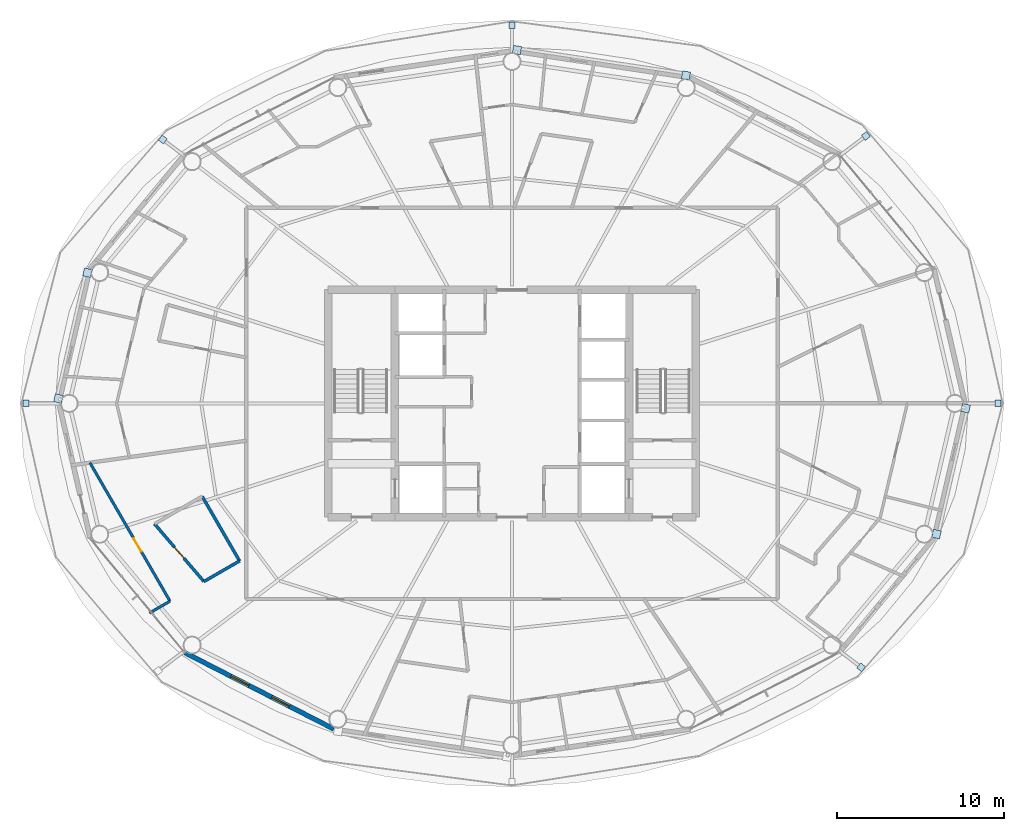
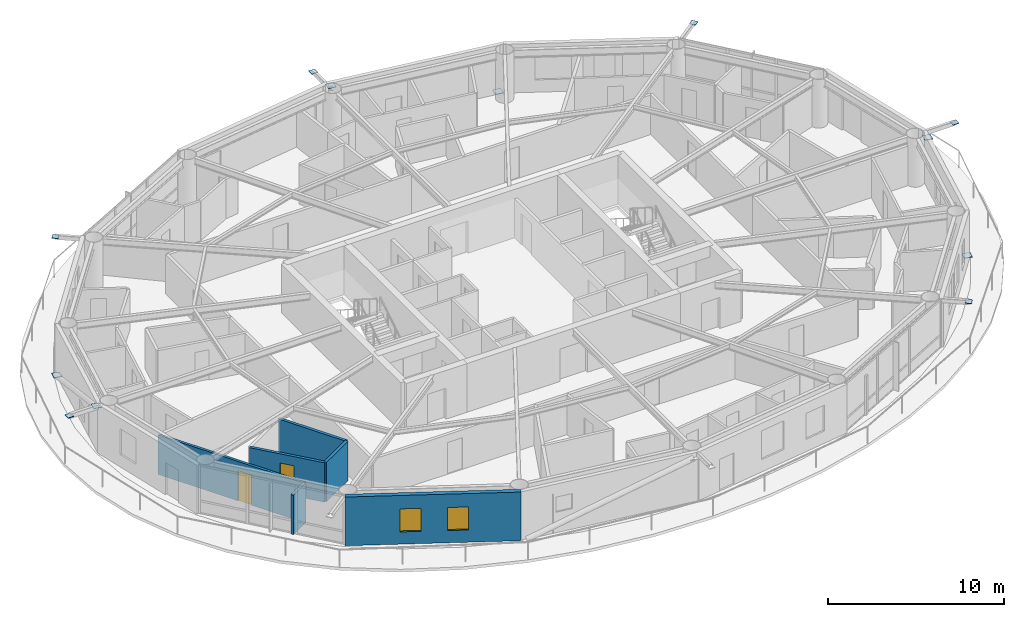
# One storey, part 20 of 29: 12 plates, 6 walls, 2 doors, 2 windows, 4 openings.
"""IFC4 building model written with IfcOpenShell, lengths in metres."""

from ifc_helpers import new_model, si_unit, direction, frame, frame_2d, origin, origin_2d, place, context, subcontext, project, spatial, rectangle, extrude, material, layer, layer_set, type_object, element, fill, save


model = new_model("IFC4")

# Units and contexts
model_context = context("Model", 3, precision=1e-05, world=origin(), true_north=direction((0.0, 1.0)))
body_context = subcontext(model_context, "Body", "Model", "MODEL_VIEW")
ifc_project = project(units=[si_unit("LENGTHUNIT", "METRE"), si_unit("AREAUNIT", "SQUARE_METRE"), si_unit("VOLUMEUNIT", "CUBIC_METRE"), si_unit("PLANEANGLEUNIT", "RADIAN"), si_unit("MASSUNIT", "GRAM", prefix="KILO")], contexts=[model_context])

# Site, building, storey
site_placement = place(None, origin())
site = spatial("IfcSite", under=ifc_project, at=site_placement, CompositionType="ELEMENT")
building_placement = place(site_placement, origin())
building = spatial("IfcBuilding", under=site, at=building_placement, Name="Sarneth Arch Tower", CompositionType="ELEMENT")
storey_placement = place(building_placement, frame((0.0, 0.0, 175.800048828125)))
storey = spatial("IfcBuildingStorey", under=building, at=storey_placement, Name="L44", CompositionType="ELEMENT", Elevation=175.800048828125)

# Plates
ifc_material_1 = material(Name="Steel S355", Category="steel")
ifc_layer_1 = layer(ifc_material_1, 0.035888671875)
ifc_layer_set_1 = layer_set([ifc_layer_1], Name="Steel S355")
plate_type = type_object("IfcPlateType", Name="PLT-GUSSET-30", PredefinedType="SHEET", material=ifc_layer_set_1)
for number, where, z_axis, x_axis, name in (
    (1, (77.07275390625, 42.0, 3.2021484375), (0.0, 0.0, 1.0), (1.0, 0.0, 0.0), "Steel end cap plate GP-1"),
    (2, (69.169677734375, 57.998779296875, 3.2021484375), (0.0, 0.0, 1.0), (0.797794439539, 0.602929541689, 0.0), "Steel end cap plate GP-1"),
):
    element("IfcPlate", number, at=place(storey_placement, frame(where, z_axis=z_axis, x_axis=x_axis)), inside=storey, type_object=plate_type, Name=name, PredefinedType="SHEET", context=body_context, shape_type="SweptSolid", body=[
        extrude(rectangle(XDim=0.3798828125, YDim=0.3798828125, at=origin_2d()), origin(), (0.0, 0.0, 1.0), 0.035888671875),
    ])
for number, where, z_axis, x_axis, name in (
    (3, (58.404296875, 61.612548828125, 0.001953125), (0.0, 0.0, 1.0), (-0.98883454203, 0.149017611339, 0.0), "Steel end cap plate GP-1"),
    (4, (48.296630859375, 63.13525390625, 3.03271484375), (0.0, 0.0, 1.0), (-0.98883454203, 0.149017611339, 0.0), "Steel end cap plate GP-1"),
):
    element("IfcPlate", number, at=place(storey_placement, frame(where, z_axis=z_axis, x_axis=x_axis)), inside=storey, type_object=plate_type, Name=name, PredefinedType="SHEET", context=body_context, shape_type="SweptSolid", body=[
        extrude(rectangle(XDim=0.486083984375, YDim=0.486083984375, at=origin_2d()), origin(), (0.0, 0.0, 1.0), 0.035888671875),
    ])
for number, where, z_axis, x_axis, name in (
    (5, (48.0, 64.6142578125, 3.2021484375), (0.0, 0.0, 1.0), (0.0, 1.0, 0.0), "Steel end cap plate GP-1"),
    (6, (27.112548828125, 57.78564453125, 3.2021484375), (0.0, 0.0, 1.0), (-0.797794439539, 0.602929541689, 0.0), "Steel end cap plate GP-1"),
):
    element("IfcPlate", number, at=place(storey_placement, frame(where, z_axis=z_axis, x_axis=x_axis)), inside=storey, type_object=plate_type, Name=name, PredefinedType="SHEET", context=body_context, shape_type="SweptSolid", body=[
        extrude(rectangle(XDim=0.3798828125, YDim=0.3798828125, at=origin_2d()), origin(), (0.0, 0.0, 1.0), 0.035888671875),
    ])
for number, where, z_axis, x_axis, name in (
    (7, (22.609619140625, 49.81298828125, 0.001953125), (0.0, 0.0, 1.0), (-0.225291159947, -0.974291482694, 0.0), "Steel end cap plate GP-1"),
    (8, (20.87109375, 42.292236328125, 3.03271484375), (0.0, 0.0, 1.0), (-0.225291159947, -0.974291482694, 0.0), "Steel end cap plate GP-1"),
):
    element("IfcPlate", number, at=place(storey_placement, frame(where, z_axis=z_axis, x_axis=x_axis)), inside=storey, type_object=plate_type, Name=name, PredefinedType="SHEET", context=body_context, shape_type="SweptSolid", body=[
        extrude(rectangle(XDim=0.486083984375, YDim=0.486083984375, at=origin_2d()), origin(), (0.0, 0.0, 1.0), 0.035888671875),
    ])
for number, where, z_axis, x_axis, name in (
    (9, (18.92724609375, 42.0, 3.2021484375), (0.0, 0.0, 1.0), (-1.0, 0.0, 0.0), "Steel end cap plate GP-1"),
    (10, (68.887451171875, 26.21435546875, 3.2021484375), (0.0, 0.0, 1.0), (0.797794439539, -0.602929541689, 0.0), "Steel end cap plate GP-1"),
):
    element("IfcPlate", number, at=place(storey_placement, frame(where, z_axis=z_axis, x_axis=x_axis)), inside=storey, type_object=plate_type, Name=name, PredefinedType="SHEET", context=body_context, shape_type="SweptSolid", body=[
        extrude(rectangle(XDim=0.3798828125, YDim=0.3798828125, at=origin_2d()), origin(), (0.0, 0.0, 1.0), 0.035888671875),
    ])
for number, where, z_axis, x_axis, name in (
    (11, (73.390380859375, 34.18701171875, 0.001953125), (0.0, 0.0, 1.0), (0.225291159947, 0.974291482694, 0.0), "Steel end cap plate GP-1"),
    (12, (75.12890625, 41.707763671875, 3.03271484375), (0.0, 0.0, 1.0), (0.225291159947, 0.974291482694, 0.0), "Steel end cap plate GP-1"),
):
    element("IfcPlate", number, at=place(storey_placement, frame(where, z_axis=z_axis, x_axis=x_axis)), inside=storey, type_object=plate_type, Name=name, PredefinedType="SHEET", context=body_context, shape_type="SweptSolid", body=[
        extrude(rectangle(XDim=0.486083984375, YDim=0.486083984375, at=origin_2d()), origin(), (0.0, 0.0, 1.0), 0.035888671875),
    ])

# Wall, openings, windows
ifc_material_2 = material(Name="Extruded terracotta rainscreen on Concrete C40/50 backing", Category="masonry")
ifc_layer_2 = layer(ifc_material_2, 0.280029296875)
ifc_layer_set_2 = layer_set([ifc_layer_2], Name="Extruded terracotta rainscreen on Concrete C40/50 backing")
wall_type_1 = type_object("IfcWallType", Name="WALL-EXT-TERRA-280", PredefinedType="SOLIDWALL", material=ifc_layer_set_2)
wall_1_placement = place(storey_placement, frame((28.423828125, 27.09423828125, 0.0), z_axis=(0.0, 0.0, 1.0), x_axis=(0.889872523182, -0.456209263919, 0.0)))
wall_1 = element("IfcWall", 13, at=wall_1_placement, inside=storey, type_object=wall_type_1, Name="L44 Terracotta perimeter wall 11", PredefinedType="SOLIDWALL", context=body_context, shape_type="SweptSolid", body=[
    extrude(rectangle(XDim=10.016357421875, YDim=0.280029296875, at=frame_2d((5.00830078125, 0.0))), origin(), (0.0, 0.0, 1.0), 3.3798828125),
])
opening_1_placement = place(wall_1_placement, frame((3.115478515625, 0.0, 0.85009765625)))
opening_1 = element("IfcOpeningElement", 14, at=opening_1_placement, cuts=wall_1, Name="Opening W-10", PredefinedType="OPENING", context=body_context, shape_type="SweptSolid", body=[
    extrude(rectangle(XDim=1.199951171875, YDim=1.60009765625, at=frame_2d((0.60009765625, 0.800048828125))), frame((0.0, 0.14990234375, 0.0), z_axis=(0.0, -1.0, 0.0), x_axis=(1.0, 0.0, 0.0)), (0.0, 0.0, 1.0), 0.300048828125),
])
opening_2_placement = place(wall_1_placement, frame((5.84033203125, 0.0, 0.85009765625)))
opening_2 = element("IfcOpeningElement", 15, at=opening_2_placement, cuts=wall_1, Name="Opening W-10", PredefinedType="OPENING", context=body_context, shape_type="SweptSolid", body=[
    extrude(rectangle(XDim=1.199951171875, YDim=1.60009765625, at=frame_2d((0.60009765625, 0.800048828125))), frame((0.0, 0.14990234375, 0.0), z_axis=(0.0, -1.0, 0.0), x_axis=(1.0, 0.0, 0.0)), (0.0, 0.0, 1.0), 0.300048828125),
])
ifc_material_3 = material(Name="Thermally broken Aluminium 6063-T6 and low-e laminated IGU", Category="aluminium")
window_type = type_object("IfcWindowType", Name="WIN-TWR-1200x1600", PartitioningType="SINGLE_PANEL", PredefinedType="WINDOW", material=ifc_material_3)
window_1_placement = place(opening_1_placement, origin())
window_1 = element("IfcWindow", 16, at=window_1_placement, inside=storey, type_object=window_type, Name="L44 Exterior window 11A", OverallHeight=1.60009765625, OverallWidth=1.199951171875, PartitioningType="SINGLE_PANEL", PredefinedType="WINDOW", context=body_context, shape_type="SweptSolid", body=[
    extrude(rectangle(XDim=1.199951171875, YDim=1.60009765625, at=frame_2d((0.60009765625, 0.800048828125))), frame((0.0, 0.030029296875, 0.0), z_axis=(0.0, -1.0, 0.0), x_axis=(1.0, 0.0, 0.0)), (0.0, 0.0, 1.0), 0.06005859375),
])
fill(opening_1, window_1)
window_2_placement = place(opening_2_placement, origin())
window_2 = element("IfcWindow", 17, at=window_2_placement, inside=storey, type_object=window_type, Name="L44 Exterior window 11B", OverallHeight=1.60009765625, OverallWidth=1.199951171875, PartitioningType="SINGLE_PANEL", PredefinedType="WINDOW", context=body_context, shape_type="SweptSolid", body=[
    extrude(rectangle(XDim=1.199951171875, YDim=1.60009765625, at=frame_2d((0.60009765625, 0.800048828125))), frame((0.0, 0.030029296875, 0.0), z_axis=(0.0, -1.0, 0.0), x_axis=(1.0, 0.0, 0.0)), (0.0, 0.0, 1.0), 0.06005859375),
])
fill(opening_2, window_2)

# Wall, opening, door
ifc_material_4 = material(Name="Kitchen wet service chase wall", Category="gypsum")
ifc_layer_3 = layer(ifc_material_4, 0.159912109375)
ifc_layer_set_3 = layer_set([ifc_layer_3], Name="Kitchen wet service chase wall")
wall_type_2 = type_object("IfcWallType", Name="WALL-PLUMB-160", PredefinedType="PLUMBINGWALL", material=ifc_layer_set_3)
wall_2_placement = place(storey_placement, frame((22.75341796875, 38.451904296875, 0.0), z_axis=(0.0, 0.0, 1.0), x_axis=(0.500584533727, -0.865687659952, 0.0)))
wall_2 = element("IfcWall", 18, at=wall_2_placement, inside=storey, type_object=wall_type_2, Name="L44 Interior partition W-L44-TP-081", PredefinedType="PLUMBINGWALL", context=body_context, shape_type="SweptSolid", body=[
    extrude(rectangle(XDim=9.56689453125, YDim=0.159912109375, at=frame_2d((4.783447265625, 0.0))), origin(), (0.0, 0.0, 1.0), 2.739990234375),
])
opening_3_placement = place(wall_2_placement, frame((5.2333984375, 0.0, 0.0)))
opening_3 = element("IfcOpeningElement", 19, at=opening_3_placement, cuts=wall_2, Name="Opening ID-01", PredefinedType="OPENING", context=body_context, shape_type="SweptSolid", body=[
    extrude(rectangle(XDim=0.89990234375, YDim=2.10009765625, at=frame_2d((0.449951171875, 1.050048828125))), frame((0.0, 0.08984375, 0.0), z_axis=(0.0, -1.0, 0.0), x_axis=(1.0, 0.0, 0.0)), (0.0, 0.0, 1.0), 0.179931640625),
])
ifc_material_5 = material(Name="Engineered hardwood flush door", Category="wood")
door_type_1 = type_object("IfcDoorType", Name="DR-INT-900", OperationType="SINGLE_SWING_LEFT", PredefinedType="DOOR", material=ifc_material_5)
door_1_placement = place(opening_3_placement, origin())
door_1 = element("IfcDoor", 20, at=door_1_placement, inside=storey, type_object=door_type_1, Name="L44 Interior door DR-L44-U5-KIT", OperationType="SINGLE_SWING_LEFT", OverallHeight=2.10009765625, OverallWidth=0.89990234375, PredefinedType="DOOR", context=body_context, shape_type="SweptSolid", body=[
    extrude(rectangle(XDim=0.89990234375, YDim=2.10009765625, at=frame_2d((0.449951171875, 1.050048828125))), frame((0.0, 0.02490234375, 0.0), z_axis=(0.0, -1.0, 0.0), x_axis=(1.0, 0.0, 0.0)), (0.0, 0.0, 1.0), 0.050048828125),
])
fill(opening_3, door_1)

# Wall
wall_3_placement = place(storey_placement, frame((27.54248046875, 30.169921875, 0.0), z_axis=(0.0, 0.0, 1.0), x_axis=(-0.865626475351, -0.500690328617, 0.0)))
element("IfcWall", 21, at=wall_3_placement, inside=storey, type_object=wall_type_2, Name="L44 Interior partition W-L44-TP-082", PredefinedType="PLUMBINGWALL", context=body_context, shape_type="SweptSolid", body=[
    extrude(rectangle(XDim=1.4189453125, YDim=0.159912109375, at=frame_2d((0.70947265625, 0.0))), origin(), (0.0, 0.0, 1.0), 2.739990234375),
])

# Wall, opening, door
ifc_material_6 = material(Name="Moisture-resistant plumbing chase wall", Category="gypsum")
ifc_layer_4 = layer(ifc_material_6, 0.179931640625)
ifc_layer_set_4 = layer_set([ifc_layer_4], Name="Moisture-resistant plumbing chase wall")
wall_type_3 = type_object("IfcWallType", Name="WALL-PLUMB-180", PredefinedType="PLUMBINGWALL", material=ifc_layer_set_4)
wall_4_placement = place(storey_placement, frame((26.619873046875, 34.790283203125, 0.0), z_axis=(0.0, 0.0, 1.0), x_axis=(0.650507788654, -0.759499583213, 0.0)))
wall_4 = element("IfcWall", 22, at=wall_4_placement, inside=storey, type_object=wall_type_3, Name="L44 Interior partition W-L44-TP-080", PredefinedType="PLUMBINGWALL", context=body_context, shape_type="SweptSolid", body=[
    extrude(rectangle(XDim=4.538330078125, YDim=0.179931640625, at=frame_2d((2.26904296875, 0.0))), origin(), (0.0, 0.0, 1.0), 2.739990234375),
])
opening_4_placement = place(wall_4_placement, frame((1.84423828125, 0.0, 0.0)))
opening_4 = element("IfcOpeningElement", 23, at=opening_4_placement, cuts=wall_4, Name="Opening ID-02", PredefinedType="OPENING", context=body_context, shape_type="SweptSolid", body=[
    extrude(rectangle(XDim=0.85009765625, YDim=2.10009765625, at=frame_2d((0.425048828125, 1.050048828125))), frame((0.0, 0.099853515625, 0.0), z_axis=(0.0, -1.0, 0.0), x_axis=(1.0, 0.0, 0.0)), (0.0, 0.0, 1.0), 0.199951171875),
])
ifc_material_7 = material(Name="Moisture-resistant bathroom timber door", Category="wood")
door_type_2 = type_object("IfcDoorType", Name="DR-INT-850", OperationType="SINGLE_SWING_RIGHT", PredefinedType="DOOR", material=ifc_material_7)
door_2_placement = place(opening_4_placement, origin())
door_2 = element("IfcDoor", 24, at=door_2_placement, inside=storey, type_object=door_type_2, Name="L44 Interior door DR-L44-U5-BATH", OperationType="SINGLE_SWING_LEFT", OverallHeight=2.10009765625, OverallWidth=0.85009765625, PredefinedType="DOOR", context=body_context, shape_type="SweptSolid", body=[
    extrude(rectangle(XDim=0.85009765625, YDim=2.10009765625, at=frame_2d((0.425048828125, 1.050048828125))), frame((0.0, 0.02490234375, 0.0), z_axis=(0.0, -1.0, 0.0), x_axis=(1.0, 0.0, 0.0)), (0.0, 0.0, 1.0), 0.050048828125),
])
fill(opening_4, door_2)

# Walls
wall_5_placement = place(storey_placement, frame((31.703125, 32.57568359375, 0.0), z_axis=(0.0, 0.0, 1.0), x_axis=(-0.500604830324, 0.865675923112, 0.0)))
element("IfcWall", 25, at=wall_5_placement, inside=storey, type_object=wall_type_3, Name="L44 Interior partition W-L44-TP-078", PredefinedType="PLUMBINGWALL", context=body_context, shape_type="SweptSolid", body=[
    extrude(rectangle(XDim=4.4619140625, YDim=0.179931640625, at=frame_2d((2.23095703125, 0.0))), origin(), (0.0, 0.0, 1.0), 2.739990234375),
])
wall_6_placement = place(storey_placement, frame((29.572021484375, 31.343505859375, 0.0), z_axis=(0.0, 0.0, 1.0), x_axis=(0.865711329059, 0.500543599239, 0.0)))
element("IfcWall", 26, at=wall_6_placement, inside=storey, type_object=wall_type_3, Name="L44 Interior partition W-L44-TP-077", PredefinedType="PLUMBINGWALL", context=body_context, shape_type="SweptSolid", body=[
    extrude(rectangle(XDim=2.461669921875, YDim=0.179931640625, at=frame_2d((1.23095703125, 0.0))), origin(), (0.0, 0.0, 1.0), 2.739990234375),
])

save(model, "model.ifc")
